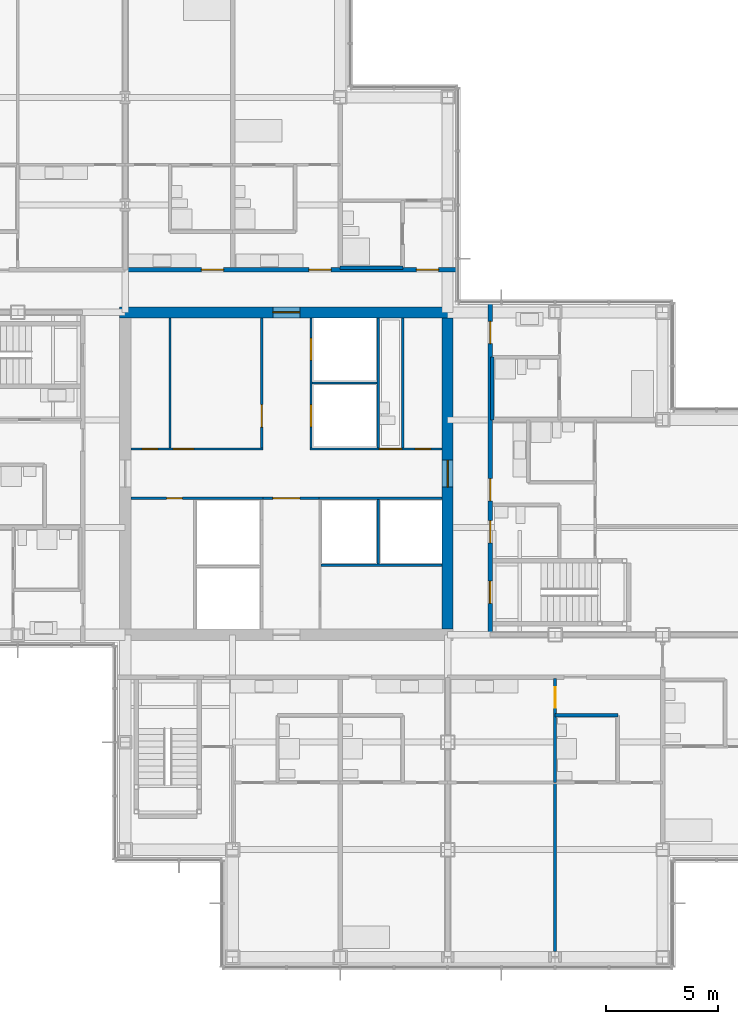
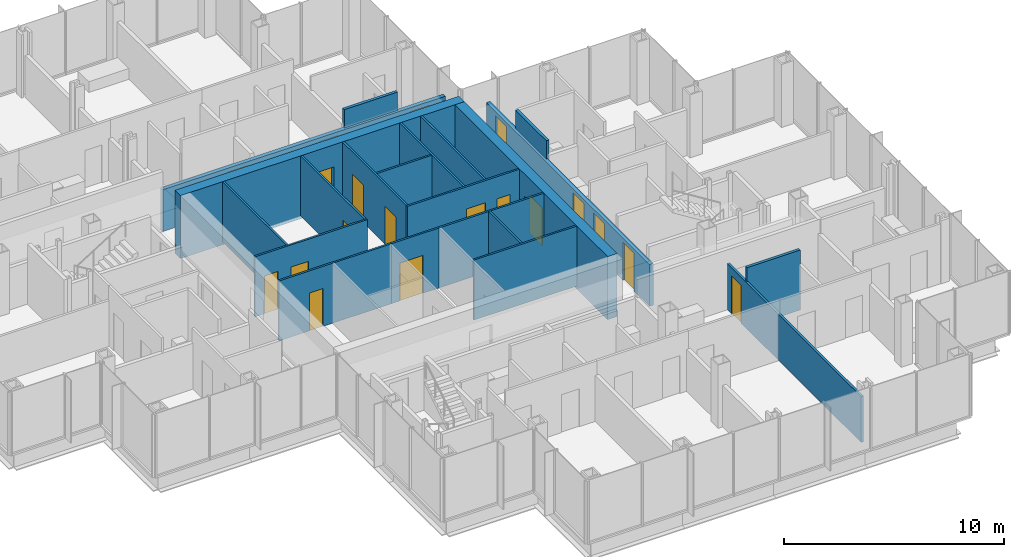
# One storey, part 14 of 19: 22 walls, 19 doors, 19 openings.
"""IFC4 building model written with IfcOpenShell, lengths in metres."""

from ifc_helpers import new_model, si_unit, direction, frame, frame_2d, origin, place, context, subcontext, project, spatial, rectangle, extrude, material, layer, layer_set, type_object, element, fill, save


model = new_model("IFC4")

# Units and contexts
model_context = context("Model", 3, precision=1e-05, world=origin(), true_north=direction((0.0, 1.0)))
body_context = subcontext(model_context, "Body", "Model", "MODEL_VIEW")
ifc_project = project(units=[si_unit("LENGTHUNIT", "METRE"), si_unit("AREAUNIT", "SQUARE_METRE"), si_unit("VOLUMEUNIT", "CUBIC_METRE"), si_unit("PLANEANGLEUNIT", "RADIAN"), si_unit("MASSUNIT", "GRAM", prefix="KILO")], contexts=[model_context])

# Site, building, storey
site_placement = place(None, origin())
site = spatial("IfcSite", under=ifc_project, at=site_placement, CompositionType="ELEMENT")
building_placement = place(site_placement, origin())
building = spatial("IfcBuilding", under=site, at=building_placement, Name="Kvirike Care Tower", CompositionType="ELEMENT")
storey_placement = place(building_placement, frame((0.0, 0.0, 98.0)))
storey = spatial("IfcBuildingStorey", under=building, at=storey_placement, Name="L26", CompositionType="ELEMENT", Elevation=98.0)

# Walls
ifc_material_1 = material(Name="Moisture-resistant board partition", Category="gypsum")
ifc_layer_1 = layer(ifc_material_1, 0.14990234375)
ifc_layer_set_1 = layer_set([ifc_layer_1], Name="BATHROOM WALL 150")
wall_type_1 = type_object("IfcWallType", Name="BATHROOM WALL 150", PredefinedType="PARTITIONING", material=ifc_layer_set_1)
wall_1_placement = place(storey_placement, frame((26.800048828125, 45.199951171875, 0.0), z_axis=(0.0, 0.0, 1.0), x_axis=(-1.0, 0.0, 0.0)))
element("IfcWall", 1, at=wall_1_placement, inside=storey, type_object=wall_type_1, Name="Bathroom Wall 150 L26", PredefinedType="PARTITIONING", context=body_context, shape_type="SweptSolid", body=[
    extrude(rectangle(XDim=2.800048828125, YDim=0.14990234375, at=frame_2d((1.39990234375, 0.0))), origin(), (0.0, 0.0, 1.0), 3.330078125),
])
wall_2_placement = place(storey_placement, frame((33.60009765625, 25.199951171875, 0.0), z_axis=(0.0, 0.0, 1.0), x_axis=(1.0, 0.0, 0.0)))
element("IfcWall", 2, at=wall_2_placement, inside=storey, type_object=wall_type_1, Name="Bathroom Wall 150 L26", PredefinedType="PARTITIONING", context=body_context, shape_type="SweptSolid", body=[
    extrude(rectangle(XDim=2.7998046875, YDim=0.14990234375, at=frame_2d((1.39990234375, 0.0))), origin(), (0.0, 0.0, 1.0), 3.330078125),
])
wall_3_placement = place(storey_placement, frame((30.800048828125, 38.39990234375, 0.0), z_axis=(0.0, 0.0, 1.0), x_axis=(0.0, 1.0, 0.0)))
element("IfcWall", 3, at=wall_3_placement, inside=storey, type_object=wall_type_1, Name="Bathroom Wall 150 L26", PredefinedType="PARTITIONING", context=body_context, shape_type="SweptSolid", body=[
    extrude(rectangle(XDim=2.800048828125, YDim=0.14990234375, at=frame_2d((1.39990234375, 0.0))), origin(), (0.0, 0.0, 1.0), 3.330078125),
])

# Wall, opening, door
ifc_material_2 = material(Name="Concrete C50/60", Category="concrete")
ifc_layer_2 = layer(ifc_material_2, 0.5)
ifc_layer_set_2 = layer_set([ifc_layer_2], Name="CORE WALL 500 C50-60")
wall_type_2 = type_object("IfcWallType", Name="CORE WALL 500 C50-60", PredefinedType="SHEAR", material=ifc_layer_set_2)
wall_4_placement = place(storey_placement, frame((29.050048828125, 43.199951171875, -0.169921875), z_axis=(0.0, 0.0, 1.0), x_axis=(-1.0, 0.0, 0.0)))
wall_4 = element("IfcWall", 4, at=wall_4_placement, inside=storey, type_object=wall_type_2, Name="Core wall N L26", PredefinedType="SHEAR", context=body_context, shape_type="SweptSolid", body=[
    extrude(rectangle(XDim=14.900146484375, YDim=0.5, at=frame_2d((7.4501953125, 0.0))), origin(), (0.0, 0.0, 1.0), 3.5),
])
opening_1_placement = place(wall_4_placement, frame((6.85009765625, 0.0, 0.169921875)))
opening_1 = element("IfcOpeningElement", 5, at=opening_1_placement, cuts=wall_4, Name="Opening 26-067", PredefinedType="OPENING", context=body_context, shape_type="SweptSolid", body=[
    extrude(rectangle(XDim=1.199951171875, YDim=2.10009765625, at=frame_2d((0.60009765625, 1.050048828125))), frame((0.0, 0.260498046875, 0.0), z_axis=(0.0, -1.0, 0.0), x_axis=(1.0, 0.0, 0.0)), (0.0, 0.0, 1.0), 0.52099609375),
])
ifc_material_3 = material(Name="Timber door set", Category="wood")
door_type_1 = type_object("IfcDoorType", Name="CORE DOOR 1200", OperationType="SINGLE_SWING_LEFT", PredefinedType="DOOR", material=ifc_material_3)
door_1_placement = place(opening_1_placement, origin())
door_1 = element("IfcDoor", 6, at=door_1_placement, inside=storey, type_object=door_type_1, Name="Core door N L26", OperationType="SINGLE_SWING_LEFT", OverallHeight=2.10009765625, OverallWidth=1.199951171875, PredefinedType="DOOR", context=body_context, shape_type="SweptSolid", body=[
    extrude(rectangle(XDim=1.199951171875, YDim=2.10009765625, at=frame_2d((0.60009765625, 1.050048828125))), frame((0.0, 0.02685546875, 0.0), z_axis=(0.0, -1.0, 0.0), x_axis=(1.0, 0.0, 0.0)), (0.0, 0.0, 1.0), 0.053955078125),
])
fill(opening_1, door_1)

wall_5_placement = place(storey_placement, frame((28.800048828125, 29.050048828125, -0.169921875), z_axis=(0.0, 0.0, 1.0), x_axis=(0.0, 1.0, 0.0)))
wall_5 = element("IfcWall", 7, at=wall_5_placement, inside=storey, type_object=wall_type_2, Name="Core wall E L26", PredefinedType="SHEAR", context=body_context, shape_type="SweptSolid", body=[
    extrude(rectangle(XDim=13.89990234375, YDim=0.5, at=frame_2d((6.949951171875, 0.0))), origin(), (0.0, 0.0, 1.0), 3.5),
])
opening_2_placement = place(wall_5_placement, frame((6.35009765625, 0.0, 0.169921875)))
opening_2 = element("IfcOpeningElement", 8, at=opening_2_placement, cuts=wall_5, Name="Opening 26-066", PredefinedType="OPENING", context=body_context, shape_type="SweptSolid", body=[
    extrude(rectangle(XDim=1.199951171875, YDim=2.10009765625, at=frame_2d((0.60009765625, 1.050048828125))), frame((0.0, 0.260498046875, 0.0), z_axis=(0.0, -1.0, 0.0), x_axis=(1.0, 0.0, 0.0)), (0.0, 0.0, 1.0), 0.52099609375),
])
door_2_placement = place(opening_2_placement, origin())
door_2 = element("IfcDoor", 9, at=door_2_placement, inside=storey, type_object=door_type_1, Name="Core door E L26", OperationType="SINGLE_SWING_LEFT", OverallHeight=2.10009765625, OverallWidth=1.199951171875, PredefinedType="DOOR", context=body_context, shape_type="SweptSolid", body=[
    extrude(rectangle(XDim=1.199951171875, YDim=2.10009765625, at=frame_2d((0.60009765625, 1.050048828125))), frame((0.0, 0.02685546875, 0.0), z_axis=(0.0, -1.0, 0.0), x_axis=(1.0, 0.0, 0.0)), (0.0, 0.0, 1.0), 0.053955078125),
])
fill(opening_2, door_2)

# Wall, openings, doors
ifc_material_4 = material(Name="Plasterboard corridor wall", Category="gypsum")
ifc_layer_3 = layer(ifc_material_4, 0.199951171875)
ifc_layer_set_3 = layer_set([ifc_layer_3], Name="CORRIDOR WALL 200")
wall_type_3 = type_object("IfcWallType", Name="CORRIDOR WALL 200", PredefinedType="PARTITIONING", material=ifc_layer_set_3)
wall_6_placement = place(storey_placement, frame((29.239990234375, 45.10009765625, 0.0), z_axis=(0.0, 0.0, 1.0), x_axis=(-1.0, 0.0, 0.0)))
wall_6 = element("IfcWall", 10, at=wall_6_placement, inside=storey, type_object=wall_type_3, Name="Corridor Wall 200 L26", PredefinedType="PARTITIONING", context=body_context, shape_type="SweptSolid", body=[
    extrude(rectangle(XDim=14.840087890625, YDim=0.199951171875, at=frame_2d((7.419921875, 0.0))), origin(), (0.0, 0.0, 1.0), 2.320068359375),
])
opening_3_placement = place(wall_6_placement, frame((0.840087890625, 0.0, 0.0)))
opening_3 = element("IfcOpeningElement", 11, at=opening_3_placement, cuts=wall_6, Name="Opening 26-032", PredefinedType="OPENING", context=body_context, shape_type="SweptSolid", body=[
    extrude(rectangle(XDim=1.0, YDim=2.10009765625, at=frame_2d((0.5, 1.050048828125))), frame((0.0, 0.110595703125, 0.0), z_axis=(0.0, -1.0, 0.0), x_axis=(1.0, 0.0, 0.0)), (0.0, 0.0, 1.0), 0.220947265625),
])
opening_4_placement = place(wall_6_placement, frame((5.639892578125, 0.0, 0.0)))
opening_4 = element("IfcOpeningElement", 12, at=opening_4_placement, cuts=wall_6, Name="Opening 26-033", PredefinedType="OPENING", context=body_context, shape_type="SweptSolid", body=[
    extrude(rectangle(XDim=1.0, YDim=2.10009765625, at=frame_2d((0.5, 1.050048828125))), frame((0.0, 0.110595703125, 0.0), z_axis=(0.0, -1.0, 0.0), x_axis=(1.0, 0.0, 0.0)), (0.0, 0.0, 1.0), 0.220947265625),
])
opening_5_placement = place(wall_6_placement, frame((10.43994140625, 0.0, 0.0)))
opening_5 = element("IfcOpeningElement", 13, at=opening_5_placement, cuts=wall_6, Name="Opening 26-034", PredefinedType="OPENING", context=body_context, shape_type="SweptSolid", body=[
    extrude(rectangle(XDim=1.0, YDim=2.10009765625, at=frame_2d((0.5, 1.050048828125))), frame((0.0, 0.110595703125, 0.0), z_axis=(0.0, -1.0, 0.0), x_axis=(1.0, 0.0, 0.0)), (0.0, 0.0, 1.0), 0.220947265625),
])
ifc_material_5 = material(Name="Timber door set", Category="wood")
door_type_2 = type_object("IfcDoorType", Name="FLAT ENTRANCE DOOR 1000", OperationType="SINGLE_SWING_LEFT", PredefinedType="DOOR", material=ifc_material_5)
door_3_placement = place(opening_3_placement, frame((1.0, 0.0, 0.0), z_axis=(0.0, 0.0, 1.0), x_axis=(-1.0, 0.0, 0.0)))
door_3 = element("IfcDoor", 14, at=door_3_placement, inside=storey, type_object=door_type_2, Name="Care base entrance", OperationType="SINGLE_SWING_LEFT", OverallHeight=2.10009765625, OverallWidth=1.0, PredefinedType="DOOR", context=body_context, shape_type="SweptSolid", body=[
    extrude(rectangle(XDim=1.0, YDim=2.10009765625, at=frame_2d((0.5, 1.050048828125))), frame((0.0, 0.02685546875, 0.0), z_axis=(0.0, -1.0, 0.0), x_axis=(1.0, 0.0, 0.0)), (0.0, 0.0, 1.0), 0.053955078125),
])
fill(opening_3, door_3)
door_4_placement = place(opening_4_placement, frame((1.0, 0.0, 0.0), z_axis=(0.0, 0.0, 1.0), x_axis=(-1.0, 0.0, 0.0)))
door_4 = element("IfcDoor", 15, at=door_4_placement, inside=storey, type_object=door_type_2, Name="Assisted living suite entrance", OperationType="SINGLE_SWING_LEFT", OverallHeight=2.10009765625, OverallWidth=1.0, PredefinedType="DOOR", context=body_context, shape_type="SweptSolid", body=[
    extrude(rectangle(XDim=1.0, YDim=2.10009765625, at=frame_2d((0.5, 1.050048828125))), frame((0.0, 0.02685546875, 0.0), z_axis=(0.0, -1.0, 0.0), x_axis=(1.0, 0.0, 0.0)), (0.0, 0.0, 1.0), 0.053955078125),
])
fill(opening_4, door_4)
door_5_placement = place(opening_5_placement, frame((1.0, 0.0, 0.0), z_axis=(0.0, 0.0, 1.0), x_axis=(-1.0, 0.0, 0.0)))
door_5 = element("IfcDoor", 16, at=door_5_placement, inside=storey, type_object=door_type_2, Name="Assisted living suite entrance", OperationType="SINGLE_SWING_LEFT", OverallHeight=2.10009765625, OverallWidth=1.0, PredefinedType="DOOR", context=body_context, shape_type="SweptSolid", body=[
    extrude(rectangle(XDim=1.0, YDim=2.10009765625, at=frame_2d((0.5, 1.050048828125))), frame((0.0, 0.02685546875, 0.0), z_axis=(0.0, -1.0, 0.0), x_axis=(1.0, 0.0, 0.0)), (0.0, 0.0, 1.0), 0.053955078125),
])
fill(opening_5, door_5)

wall_7_placement = place(storey_placement, frame((30.699951171875, 28.800048828125, 0.0), z_axis=(0.0, 0.0, 1.0), x_axis=(0.0, 1.0, 0.0)))
wall_7 = element("IfcWall", 17, at=wall_7_placement, inside=storey, type_object=wall_type_3, Name="Corridor Wall 200 L26", PredefinedType="PARTITIONING", context=body_context, shape_type="SweptSolid", body=[
    extrude(rectangle(XDim=14.83984375, YDim=0.199951171875, at=frame_2d((7.419921875, 0.0))), origin(), (0.0, 0.0, 1.0), 2.320068359375),
])
opening_6_placement = place(wall_7_placement, frame((1.39990234375, 0.0, 0.0)))
opening_6 = element("IfcOpeningElement", 18, at=opening_6_placement, cuts=wall_7, Name="Opening 26-048", PredefinedType="OPENING", context=body_context, shape_type="SweptSolid", body=[
    extrude(rectangle(XDim=1.0, YDim=2.10009765625, at=frame_2d((0.5, 1.050048828125))), frame((0.0, 0.110595703125, 0.0), z_axis=(0.0, -1.0, 0.0), x_axis=(1.0, 0.0, 0.0)), (0.0, 0.0, 1.0), 0.220947265625),
])
opening_7_placement = place(wall_7_placement, frame((4.10009765625, 0.0, 0.0)))
opening_7 = element("IfcOpeningElement", 19, at=opening_7_placement, cuts=wall_7, Name="Opening 26-049", PredefinedType="OPENING", context=body_context, shape_type="SweptSolid", body=[
    extrude(rectangle(XDim=1.0, YDim=2.10009765625, at=frame_2d((0.5, 1.050048828125))), frame((0.0, 0.110595703125, 0.0), z_axis=(0.0, -1.0, 0.0), x_axis=(1.0, 0.0, 0.0)), (0.0, 0.0, 1.0), 0.220947265625),
])
opening_8_placement = place(wall_7_placement, frame((5.97509765625, 0.0, 0.0)))
opening_8 = element("IfcOpeningElement", 20, at=opening_8_placement, cuts=wall_7, Name="Opening 26-050", PredefinedType="OPENING", context=body_context, shape_type="SweptSolid", body=[
    extrude(rectangle(XDim=1.0, YDim=2.10009765625, at=frame_2d((0.5, 1.050048828125))), frame((0.0, 0.110595703125, 0.0), z_axis=(0.0, -1.0, 0.0), x_axis=(1.0, 0.0, 0.0)), (0.0, 0.0, 1.0), 0.220947265625),
])
opening_9_placement = place(wall_7_placement, frame((13.0, 0.0, 0.0)))
opening_9 = element("IfcOpeningElement", 21, at=opening_9_placement, cuts=wall_7, Name="Opening 26-051", PredefinedType="OPENING", context=body_context, shape_type="SweptSolid", body=[
    extrude(rectangle(XDim=1.0, YDim=2.10009765625, at=frame_2d((0.5, 1.050048828125))), frame((0.0, 0.110595703125, 0.0), z_axis=(0.0, -1.0, 0.0), x_axis=(1.0, 0.0, 0.0)), (0.0, 0.0, 1.0), 0.220947265625),
])
door_6_placement = place(opening_8_placement, frame((1.0, 0.0, 0.0), z_axis=(0.0, 0.0, 1.0), x_axis=(-1.0, 0.0, 0.0)))
door_6 = element("IfcDoor", 22, at=door_6_placement, inside=storey, type_object=door_type_2, Name="Assisted living suite entrance", OperationType="SINGLE_SWING_LEFT", OverallHeight=2.10009765625, OverallWidth=1.0, PredefinedType="DOOR", context=body_context, shape_type="SweptSolid", body=[
    extrude(rectangle(XDim=1.0, YDim=2.10009765625, at=frame_2d((0.5, 1.050048828125))), frame((0.0, 0.02685546875, 0.0), z_axis=(0.0, -1.0, 0.0), x_axis=(1.0, 0.0, 0.0)), (0.0, 0.0, 1.0), 0.053955078125),
])
fill(opening_8, door_6)
door_7_placement = place(opening_9_placement, frame((1.0, 0.0, 0.0), z_axis=(0.0, 0.0, 1.0), x_axis=(-1.0, 0.0, 0.0)))
door_7 = element("IfcDoor", 23, at=door_7_placement, inside=storey, type_object=door_type_2, Name="Assisted living suite entrance", OperationType="SINGLE_SWING_RIGHT", OverallHeight=2.10009765625, OverallWidth=1.0, PredefinedType="DOOR", context=body_context, shape_type="SweptSolid", body=[
    extrude(rectangle(XDim=1.0, YDim=2.10009765625, at=frame_2d((0.5, 1.050048828125))), frame((0.0, 0.02685546875, 0.0), z_axis=(0.0, -1.0, 0.0), x_axis=(1.0, 0.0, 0.0)), (0.0, 0.0, 1.0), 0.053955078125),
])
fill(opening_9, door_7)
ifc_material_6 = material(Name="Timber door set", Category="wood")
door_type_3 = type_object("IfcDoorType", Name="STAIR DOOR 1000", OperationType="SINGLE_SWING_LEFT", PredefinedType="DOOR", material=ifc_material_6)
door_8_placement = place(opening_6_placement, frame((1.0, 0.0, 0.0), z_axis=(0.0, 0.0, 1.0), x_axis=(-1.0, 0.0, 0.0)))
door_8 = element("IfcDoor", 24, at=door_8_placement, inside=storey, type_object=door_type_3, Name="Stair 2 door", OperationType="SINGLE_SWING_LEFT", OverallHeight=2.10009765625, OverallWidth=1.0, PredefinedType="DOOR", context=body_context, shape_type="SweptSolid", body=[
    extrude(rectangle(XDim=1.0, YDim=2.10009765625, at=frame_2d((0.5, 1.050048828125))), frame((0.0, 0.031982421875, 0.0), z_axis=(0.0, -1.0, 0.0), x_axis=(1.0, 0.0, 0.0)), (0.0, 0.0, 1.0), 0.06396484375),
])
fill(opening_6, door_8)
ifc_material_7 = material(Name="Timber door set", Category="wood")
door_type_4 = type_object("IfcDoorType", Name="WC DOOR 1000", OperationType="SINGLE_SWING_LEFT", PredefinedType="DOOR", material=ifc_material_7)
door_9_placement = place(opening_7_placement, frame((1.0, 0.0, 0.0), z_axis=(0.0, 0.0, 1.0), x_axis=(-1.0, 0.0, 0.0)))
door_9 = element("IfcDoor", 25, at=door_9_placement, inside=storey, type_object=door_type_4, Name="Accessible WC door", OperationType="SINGLE_SWING_LEFT", OverallHeight=2.10009765625, OverallWidth=1.0, PredefinedType="DOOR", context=body_context, shape_type="SweptSolid", body=[
    extrude(rectangle(XDim=1.0, YDim=2.10009765625, at=frame_2d((0.5, 1.050048828125))), frame((0.0, 0.02685546875, 0.0), z_axis=(0.0, -1.0, 0.0), x_axis=(1.0, 0.0, 0.0)), (0.0, 0.0, 1.0), 0.053955078125),
])
fill(opening_7, door_9)

# Wall, opening, door
ifc_material_8 = material(Name="Plasterboard partition", Category="gypsum")
ifc_layer_4 = layer(ifc_material_8, 0.1201171875)
ifc_layer_set_4 = layer_set([ifc_layer_4], Name="PARTITION 120")
wall_type_4 = type_object("IfcWallType", Name="PARTITION 120", PredefinedType="PARTITIONING", material=ifc_layer_set_4)
wall_8_placement = place(storey_placement, frame((33.60009765625, 22.199951171875, 0.0), z_axis=(0.0, 0.0, 1.0), x_axis=(0.0, 1.0, 0.0)))
wall_8 = element("IfcWall", 26, at=wall_8_placement, inside=storey, type_object=wall_type_4, Name="Partition 120 L26", PredefinedType="PARTITIONING", context=body_context, shape_type="SweptSolid", body=[
    extrude(rectangle(XDim=4.650146484375, YDim=0.1201171875, at=frame_2d((2.3251953125, 0.0))), origin(), (0.0, 0.0, 1.0), 2.550048828125),
])
opening_10_placement = place(wall_8_placement, frame((3.35009765625, 0.0, 0.0)))
opening_10 = element("IfcOpeningElement", 27, at=opening_10_placement, cuts=wall_8, Name="Opening 26-035", PredefinedType="OPENING", context=body_context, shape_type="SweptSolid", body=[
    extrude(rectangle(XDim=0.89990234375, YDim=2.10009765625, at=frame_2d((0.449951171875, 1.050048828125))), frame((0.0, 0.070556640625, 0.0), z_axis=(0.0, -1.0, 0.0), x_axis=(1.0, 0.0, 0.0)), (0.0, 0.0, 1.0), 0.14111328125),
])
ifc_material_9 = material(Name="Timber door set", Category="wood")
door_type_5 = type_object("IfcDoorType", Name="INTERNAL DOOR 900", OperationType="SINGLE_SWING_LEFT", PredefinedType="DOOR", material=ifc_material_9)
door_10_placement = place(opening_10_placement, origin())
door_10 = element("IfcDoor", 28, at=door_10_placement, inside=storey, type_object=door_type_5, Name="Hall door", OperationType="SINGLE_SWING_LEFT", OverallHeight=2.10009765625, OverallWidth=0.89990234375, PredefinedType="DOOR", context=body_context, shape_type="SweptSolid", body=[
    extrude(rectangle(XDim=0.89990234375, YDim=2.10009765625, at=frame_2d((0.449951171875, 1.050048828125))), frame((0.0, 0.02197265625, 0.0), z_axis=(0.0, -1.0, 0.0), x_axis=(1.0, 0.0, 0.0)), (0.0, 0.0, 1.0), 0.0439453125),
])
fill(opening_10, door_10)

# Walls
wall_9_placement = place(storey_placement, frame((33.60009765625, 14.64697265625, 0.0), z_axis=(0.0, 0.0, 1.0), x_axis=(0.0, 1.0, 0.0)))
element("IfcWall", 29, at=wall_9_placement, inside=storey, type_object=wall_type_4, Name="Partition 120 L26", PredefinedType="PARTITIONING", context=body_context, shape_type="SweptSolid", body=[
    extrude(rectangle(XDim=7.552978515625, YDim=0.1201171875, at=frame_2d((3.7763671875, 0.0))), origin(), (0.0, 0.0, 1.0), 2.550048828125),
])
ifc_material_10 = material(Name="Gypsum shaft wall system", Category="gypsum")
ifc_layer_5 = layer(ifc_material_10, 0.10009765625)
ifc_layer_set_5 = layer_set([ifc_layer_5], Name="SHAFT WALL 100")
wall_type_5 = type_object("IfcWallType", Name="SHAFT WALL 100", PredefinedType="SOLIDWALL", material=ifc_layer_set_5)
for number, where, z_axis, x_axis, name in (
    (30, (16.39990234375, 37.14990234375, 0.0), (0.0, 0.0, 1.0), (0.0, 1.0, 0.0), "Shaft Wall 100 L26"),
    (31, (26.800048828125, 37.14990234375, 0.0), (0.0, 0.0, 1.0), (0.0, 1.0, 0.0), "Shaft Wall 100 L26"),
):
    element("IfcWall", number, at=place(storey_placement, frame(where, z_axis=z_axis, x_axis=x_axis)), inside=storey, type_object=wall_type_5, Name=name, PredefinedType="SOLIDWALL", context=body_context, shape_type="SweptSolid", body=[
        extrude(rectangle(XDim=5.800048828125, YDim=0.10009765625, at=frame_2d((2.89990234375, 0.0))), origin(), (0.0, 0.0, 1.0), 3.330078125),
    ])

# Wall, opening, door
wall_10_placement = place(storey_placement, frame((20.5, 37.14990234375, 0.0), z_axis=(0.0, 0.0, 1.0), x_axis=(0.0, 1.0, 0.0)))
wall_10 = element("IfcWall", 32, at=wall_10_placement, inside=storey, type_object=wall_type_5, Name="Shaft Wall 100 L26", PredefinedType="SOLIDWALL", context=body_context, shape_type="SweptSolid", body=[
    extrude(rectangle(XDim=5.800048828125, YDim=0.10009765625, at=frame_2d((2.89990234375, 0.0))), origin(), (0.0, 0.0, 1.0), 3.330078125),
])
opening_11_placement = place(wall_10_placement, frame((0.925048828125, 0.0, 0.0)))
opening_11 = element("IfcOpeningElement", 33, at=opening_11_placement, cuts=wall_10, Name="Opening 26-054", PredefinedType="OPENING", context=body_context, shape_type="SweptSolid", body=[
    extrude(rectangle(XDim=1.0, YDim=2.10009765625, at=frame_2d((0.5, 1.050048828125))), frame((0.0, 0.060546875, 0.0), z_axis=(0.0, -1.0, 0.0), x_axis=(1.0, 0.0, 0.0)), (0.0, 0.0, 1.0), 0.12109375),
])
door_11_placement = place(opening_11_placement, origin())
door_11 = element("IfcDoor", 34, at=door_11_placement, inside=storey, type_object=door_type_4, Name="Staff WC door", OperationType="SINGLE_SWING_RIGHT", OverallHeight=2.10009765625, OverallWidth=1.0, PredefinedType="DOOR", context=body_context, shape_type="SweptSolid", body=[
    extrude(rectangle(XDim=1.0, YDim=2.10009765625, at=frame_2d((0.5, 1.050048828125))), frame((0.0, 0.02685546875, 0.0), z_axis=(0.0, -1.0, 0.0), x_axis=(1.0, 0.0, 0.0)), (0.0, 0.0, 1.0), 0.053955078125),
])
fill(opening_11, door_11)

# Wall, openings, doors
wall_11_placement = place(storey_placement, frame((22.699951171875, 37.14990234375, 0.0), z_axis=(0.0, 0.0, 1.0), x_axis=(0.0, 1.0, 0.0)))
wall_11 = element("IfcWall", 35, at=wall_11_placement, inside=storey, type_object=wall_type_5, Name="Shaft Wall 100 L26", PredefinedType="SOLIDWALL", context=body_context, shape_type="SweptSolid", body=[
    extrude(rectangle(XDim=5.800048828125, YDim=0.10009765625, at=frame_2d((2.89990234375, 0.0))), origin(), (0.0, 0.0, 1.0), 3.330078125),
])
opening_12_placement = place(wall_11_placement, frame((0.925048828125, 0.0, 0.0)))
opening_12 = element("IfcOpeningElement", 36, at=opening_12_placement, cuts=wall_11, Name="Opening 26-055", PredefinedType="OPENING", context=body_context, shape_type="SweptSolid", body=[
    extrude(rectangle(XDim=1.0, YDim=2.10009765625, at=frame_2d((0.5, 1.050048828125))), frame((0.0, 0.060546875, 0.0), z_axis=(0.0, -1.0, 0.0), x_axis=(1.0, 0.0, 0.0)), (0.0, 0.0, 1.0), 0.12109375),
])
opening_13_placement = place(wall_11_placement, frame((3.89990234375, 0.0, 0.0)))
opening_13 = element("IfcOpeningElement", 37, at=opening_13_placement, cuts=wall_11, Name="Opening 26-056", PredefinedType="OPENING", context=body_context, shape_type="SweptSolid", body=[
    extrude(rectangle(XDim=1.0, YDim=2.10009765625, at=frame_2d((0.5, 1.050048828125))), frame((0.0, 0.060546875, 0.0), z_axis=(0.0, -1.0, 0.0), x_axis=(1.0, 0.0, 0.0)), (0.0, 0.0, 1.0), 0.12109375),
])
ifc_material_11 = material(Name="Aluminium door frame", Category="aluminium")
door_type_6 = type_object("IfcDoorType", Name="LIFT LANDING DOOR 1000", OperationType="SLIDING_TO_LEFT", PredefinedType="DOOR", material=ifc_material_11)
door_12_placement = place(opening_12_placement, origin())
door_12 = element("IfcDoor", 38, at=door_12_placement, inside=storey, type_object=door_type_6, Name="Lift P3 landing door", OperationType="SLIDING_TO_LEFT", OverallHeight=2.10009765625, OverallWidth=1.0, PredefinedType="DOOR", context=body_context, shape_type="SweptSolid", body=[
    extrude(rectangle(XDim=1.0, YDim=2.10009765625, at=frame_2d((0.5, 1.050048828125))), frame((0.0, 0.0498046875, 0.0), z_axis=(0.0, -1.0, 0.0), x_axis=(1.0, 0.0, 0.0)), (0.0, 0.0, 1.0), 0.099609375),
])
fill(opening_12, door_12)
door_13_placement = place(opening_13_placement, origin())
door_13 = element("IfcDoor", 39, at=door_13_placement, inside=storey, type_object=door_type_6, Name="Lift P4 landing door", OperationType="SLIDING_TO_LEFT", OverallHeight=2.10009765625, OverallWidth=1.0, PredefinedType="DOOR", context=body_context, shape_type="SweptSolid", body=[
    extrude(rectangle(XDim=1.0, YDim=2.10009765625, at=frame_2d((0.5, 1.050048828125))), frame((0.0, 0.0498046875, 0.0), z_axis=(0.0, -1.0, 0.0), x_axis=(1.0, 0.0, 0.0)), (0.0, 0.0, 1.0), 0.099609375),
])
fill(opening_13, door_13)

# Wall, opening, door
wall_12_placement = place(storey_placement, frame((14.64990234375, 34.89990234375, 0.0), z_axis=(0.0, 0.0, 1.0), x_axis=(1.0, 0.0, 0.0)))
wall_12 = element("IfcWall", 40, at=wall_12_placement, inside=storey, type_object=wall_type_5, Name="Shaft Wall 100 L26", PredefinedType="SOLIDWALL", context=body_context, shape_type="SweptSolid", body=[
    extrude(rectangle(XDim=5.900146484375, YDim=0.10009765625, at=frame_2d((2.9501953125, 0.0))), origin(), (0.0, 0.0, 1.0), 3.330078125),
])
opening_14_placement = place(wall_12_placement, frame((1.60009765625, 0.0, 0.0)))
opening_14 = element("IfcOpeningElement", 41, at=opening_14_placement, cuts=wall_12, Name="Opening 26-058", PredefinedType="OPENING", context=body_context, shape_type="SweptSolid", body=[
    extrude(rectangle(XDim=0.699951171875, YDim=2.10009765625, at=frame_2d((0.35009765625, 1.050048828125))), frame((0.0, 0.060546875, 0.0), z_axis=(0.0, -1.0, 0.0), x_axis=(1.0, 0.0, 0.0)), (0.0, 0.0, 1.0), 0.12109375),
])
ifc_material_12 = material(Name="Timber door set", Category="wood")
door_type_7 = type_object("IfcDoorType", Name="RISER DOOR 700", OperationType="SINGLE_SWING_LEFT", PredefinedType="DOOR", material=ifc_material_12)
door_14_placement = place(opening_14_placement, frame((0.699951171875, 0.0, 0.0), z_axis=(0.0, 0.0, 1.0), x_axis=(-1.0, 0.0, 0.0)))
door_14 = element("IfcDoor", 42, at=door_14_placement, inside=storey, type_object=door_type_7, Name="Riser door", OperationType="SINGLE_SWING_RIGHT", OverallHeight=2.10009765625, OverallWidth=0.699951171875, PredefinedType="DOOR", context=body_context, shape_type="SweptSolid", body=[
    extrude(rectangle(XDim=0.699951171875, YDim=2.10009765625, at=frame_2d((0.35009765625, 1.050048828125))), frame((0.0, 0.02685546875, 0.0), z_axis=(0.0, -1.0, 0.0), x_axis=(1.0, 0.0, 0.0)), (0.0, 0.0, 1.0), 0.053955078125),
])
fill(opening_14, door_14)

# Wall
wall_13_placement = place(storey_placement, frame((23.050048828125, 34.89990234375, 0.0), z_axis=(0.0, 0.0, 1.0), x_axis=(1.0, 0.0, 0.0)))
element("IfcWall", 43, at=wall_13_placement, inside=storey, type_object=wall_type_5, Name="Shaft Wall 100 L26", PredefinedType="SOLIDWALL", context=body_context, shape_type="SweptSolid", body=[
    extrude(rectangle(XDim=5.5, YDim=0.10009765625, at=frame_2d((2.75, 0.0))), origin(), (0.0, 0.0, 1.0), 3.330078125),
])

# Wall, openings, doors
wall_14_placement = place(storey_placement, frame((14.64990234375, 37.10009765625, 0.0), z_axis=(0.0, 0.0, 1.0), x_axis=(1.0, 0.0, 0.0)))
wall_14 = element("IfcWall", 44, at=wall_14_placement, inside=storey, type_object=wall_type_5, Name="Shaft Wall 100 L26", PredefinedType="SOLIDWALL", context=body_context, shape_type="SweptSolid", body=[
    extrude(rectangle(XDim=5.900146484375, YDim=0.10009765625, at=frame_2d((2.9501953125, 0.0))), origin(), (0.0, 0.0, 1.0), 3.330078125),
])
opening_15_placement = place(wall_14_placement, frame((0.5, 0.0, 0.0)))
opening_15 = element("IfcOpeningElement", 45, at=opening_15_placement, cuts=wall_14, Name="Opening 26-059", PredefinedType="OPENING", context=body_context, shape_type="SweptSolid", body=[
    extrude(rectangle(XDim=0.699951171875, YDim=2.10009765625, at=frame_2d((0.35009765625, 1.050048828125))), frame((0.0, 0.060546875, 0.0), z_axis=(0.0, -1.0, 0.0), x_axis=(1.0, 0.0, 0.0)), (0.0, 0.0, 1.0), 0.12109375),
])
opening_16_placement = place(wall_14_placement, frame((1.89990234375, 0.0, 0.0)))
opening_16 = element("IfcOpeningElement", 46, at=opening_16_placement, cuts=wall_14, Name="Opening 26-060", PredefinedType="OPENING", context=body_context, shape_type="SweptSolid", body=[
    extrude(rectangle(XDim=0.89990234375, YDim=2.10009765625, at=frame_2d((0.449951171875, 1.050048828125))), frame((0.0, 0.060546875, 0.0), z_axis=(0.0, -1.0, 0.0), x_axis=(1.0, 0.0, 0.0)), (0.0, 0.0, 1.0), 0.12109375),
])
door_15_placement = place(opening_15_placement, origin())
door_15 = element("IfcDoor", 47, at=door_15_placement, inside=storey, type_object=door_type_7, Name="Riser door", OperationType="SINGLE_SWING_RIGHT", OverallHeight=2.10009765625, OverallWidth=0.699951171875, PredefinedType="DOOR", context=body_context, shape_type="SweptSolid", body=[
    extrude(rectangle(XDim=0.699951171875, YDim=2.10009765625, at=frame_2d((0.35009765625, 1.050048828125))), frame((0.0, 0.02685546875, 0.0), z_axis=(0.0, -1.0, 0.0), x_axis=(1.0, 0.0, 0.0)), (0.0, 0.0, 1.0), 0.053955078125),
])
fill(opening_15, door_15)
ifc_material_13 = material(Name="Timber door set", Category="wood")
door_type_8 = type_object("IfcDoorType", Name="STORE DOOR 900", OperationType="SINGLE_SWING_LEFT", PredefinedType="DOOR", material=ifc_material_13)
door_16_placement = place(opening_16_placement, origin())
door_16 = element("IfcDoor", 48, at=door_16_placement, inside=storey, type_object=door_type_8, Name="Staff changing room door", OperationType="SINGLE_SWING_RIGHT", OverallHeight=2.10009765625, OverallWidth=0.89990234375, PredefinedType="DOOR", context=body_context, shape_type="SweptSolid", body=[
    extrude(rectangle(XDim=0.89990234375, YDim=2.10009765625, at=frame_2d((0.449951171875, 1.050048828125))), frame((0.0, 0.02685546875, 0.0), z_axis=(0.0, -1.0, 0.0), x_axis=(1.0, 0.0, 0.0)), (0.0, 0.0, 1.0), 0.053955078125),
])
fill(opening_16, door_16)

wall_15_placement = place(storey_placement, frame((22.64990234375, 37.10009765625, 0.0), z_axis=(0.0, 0.0, 1.0), x_axis=(1.0, 0.0, 0.0)))
wall_15 = element("IfcWall", 49, at=wall_15_placement, inside=storey, type_object=wall_type_5, Name="Shaft Wall 100 L26", PredefinedType="SOLIDWALL", context=body_context, shape_type="SweptSolid", body=[
    extrude(rectangle(XDim=5.900146484375, YDim=0.10009765625, at=frame_2d((2.9501953125, 0.0))), origin(), (0.0, 0.0, 1.0), 3.330078125),
])
opening_17_placement = place(wall_15_placement, frame((3.10009765625, 0.0, 0.0)))
opening_17 = element("IfcOpeningElement", 50, at=opening_17_placement, cuts=wall_15, Name="Opening 26-061", PredefinedType="OPENING", context=body_context, shape_type="SweptSolid", body=[
    extrude(rectangle(XDim=1.0, YDim=2.10009765625, at=frame_2d((0.5, 1.050048828125))), frame((0.0, 0.060546875, 0.0), z_axis=(0.0, -1.0, 0.0), x_axis=(1.0, 0.0, 0.0)), (0.0, 0.0, 1.0), 0.12109375),
])
opening_18_placement = place(wall_15_placement, frame((4.699951171875, 0.0, 0.0)))
opening_18 = element("IfcOpeningElement", 51, at=opening_18_placement, cuts=wall_15, Name="Opening 26-062", PredefinedType="OPENING", context=body_context, shape_type="SweptSolid", body=[
    extrude(rectangle(XDim=0.699951171875, YDim=2.10009765625, at=frame_2d((0.35009765625, 1.050048828125))), frame((0.0, 0.060546875, 0.0), z_axis=(0.0, -1.0, 0.0), x_axis=(1.0, 0.0, 0.0)), (0.0, 0.0, 1.0), 0.12109375),
])
door_17_placement = place(opening_18_placement, origin())
door_17 = element("IfcDoor", 52, at=door_17_placement, inside=storey, type_object=door_type_7, Name="Riser door", OperationType="SINGLE_SWING_LEFT", OverallHeight=2.10009765625, OverallWidth=0.699951171875, PredefinedType="DOOR", context=body_context, shape_type="SweptSolid", body=[
    extrude(rectangle(XDim=0.699951171875, YDim=2.10009765625, at=frame_2d((0.35009765625, 1.050048828125))), frame((0.0, 0.02685546875, 0.0), z_axis=(0.0, -1.0, 0.0), x_axis=(1.0, 0.0, 0.0)), (0.0, 0.0, 1.0), 0.053955078125),
])
fill(opening_18, door_17)
door_18_placement = place(opening_17_placement, origin())
door_18 = element("IfcDoor", 53, at=door_18_placement, inside=storey, type_object=door_type_4, Name="Staff WC door", OperationType="SINGLE_SWING_LEFT", OverallHeight=2.10009765625, OverallWidth=1.0, PredefinedType="DOOR", context=body_context, shape_type="SweptSolid", body=[
    extrude(rectangle(XDim=1.0, YDim=2.10009765625, at=frame_2d((0.5, 1.050048828125))), frame((0.0, 0.02685546875, 0.0), z_axis=(0.0, -1.0, 0.0), x_axis=(1.0, 0.0, 0.0)), (0.0, 0.0, 1.0), 0.053955078125),
])
fill(opening_17, door_18)

# Wall, opening, door
wall_16_placement = place(storey_placement, frame((20.550048828125, 34.89990234375, 0.0), z_axis=(0.0, 0.0, 1.0), x_axis=(1.0, 0.0, 0.0)))
wall_16 = element("IfcWall", 54, at=wall_16_placement, inside=storey, type_object=wall_type_5, Name="Shaft Wall 100 L26", PredefinedType="SOLIDWALL", context=body_context, shape_type="SweptSolid", body=[
    extrude(rectangle(XDim=2.5, YDim=0.10009765625, at=frame_2d((1.25, 0.0))), origin(), (0.0, 0.0, 1.0), 3.330078125),
])
opening_19_placement = place(wall_16_placement, frame((0.449951171875, 0.0, 0.0)))
opening_19 = element("IfcOpeningElement", 55, at=opening_19_placement, cuts=wall_16, Name="Opening 26-063", PredefinedType="OPENING", context=body_context, shape_type="SweptSolid", body=[
    extrude(rectangle(XDim=1.199951171875, YDim=2.10009765625, at=frame_2d((0.60009765625, 1.050048828125))), frame((0.0, 0.060546875, 0.0), z_axis=(0.0, -1.0, 0.0), x_axis=(1.0, 0.0, 0.0)), (0.0, 0.0, 1.0), 0.12109375),
])
door_19_placement = place(opening_19_placement, frame((1.199951171875, 0.0, 0.0), z_axis=(0.0, 0.0, 1.0), x_axis=(-1.0, 0.0, 0.0)))
door_19 = element("IfcDoor", 56, at=door_19_placement, inside=storey, type_object=door_type_1, Name="Fire-fighting lobby door", OperationType="SINGLE_SWING_LEFT", OverallHeight=2.10009765625, OverallWidth=1.199951171875, PredefinedType="DOOR", context=body_context, shape_type="SweptSolid", body=[
    extrude(rectangle(XDim=1.199951171875, YDim=2.10009765625, at=frame_2d((0.60009765625, 1.050048828125))), frame((0.0, 0.02685546875, 0.0), z_axis=(0.0, -1.0, 0.0), x_axis=(1.0, 0.0, 0.0)), (0.0, 0.0, 1.0), 0.053955078125),
])
fill(opening_19, door_19)

# Walls
wall_17_placement = place(storey_placement, frame((22.75, 40.050048828125, 0.0), z_axis=(0.0, 0.0, 1.0), x_axis=(1.0, 0.0, 0.0)))
element("IfcWall", 57, at=wall_17_placement, inside=storey, type_object=wall_type_5, Name="Shaft Wall 100 L26", PredefinedType="SOLIDWALL", context=body_context, shape_type="SweptSolid", body=[
    extrude(rectangle(XDim=2.89990234375, YDim=0.10009765625, at=frame_2d((1.449951171875, 0.0))), origin(), (0.0, 0.0, 1.0), 3.330078125),
])
wall_18_placement = place(storey_placement, frame((25.699951171875, 37.14990234375, 0.0), z_axis=(0.0, 0.0, 1.0), x_axis=(0.0, 1.0, 0.0)))
element("IfcWall", 58, at=wall_18_placement, inside=storey, type_object=wall_type_5, Name="Shaft Wall 100 L26", PredefinedType="SOLIDWALL", context=body_context, shape_type="SweptSolid", body=[
    extrude(rectangle(XDim=5.800048828125, YDim=0.10009765625, at=frame_2d((2.89990234375, 0.0))), origin(), (0.0, 0.0, 1.0), 3.330078125),
])
wall_19_placement = place(storey_placement, frame((25.699951171875, 31.949951171875, 0.0), z_axis=(0.0, 0.0, 1.0), x_axis=(0.0, 1.0, 0.0)))
element("IfcWall", 59, at=wall_19_placement, inside=storey, type_object=wall_type_5, Name="Shaft Wall 100 L26", PredefinedType="SOLIDWALL", context=body_context, shape_type="SweptSolid", body=[
    extrude(rectangle(XDim=2.900146484375, YDim=0.10009765625, at=frame_2d((1.4501953125, 0.0))), origin(), (0.0, 0.0, 1.0), 3.330078125),
])
wall_20_placement = place(storey_placement, frame((23.14990234375, 31.89990234375, 0.0), z_axis=(0.0, 0.0, 1.0), x_axis=(1.0, 0.0, 0.0)))
element("IfcWall", 60, at=wall_20_placement, inside=storey, type_object=wall_type_5, Name="Shaft Wall 100 L26", PredefinedType="SOLIDWALL", context=body_context, shape_type="SweptSolid", body=[
    extrude(rectangle(XDim=5.400146484375, YDim=0.10009765625, at=frame_2d((2.7001953125, 0.0))), origin(), (0.0, 0.0, 1.0), 3.330078125),
])

save(model, "model.ifc")
